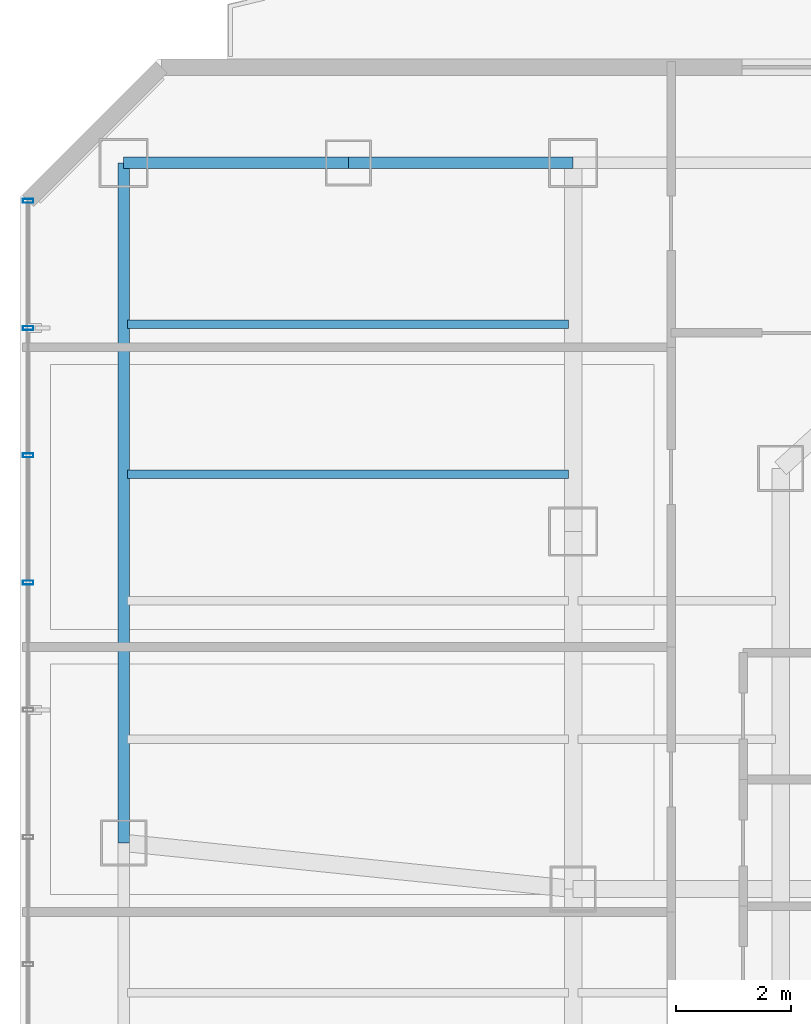
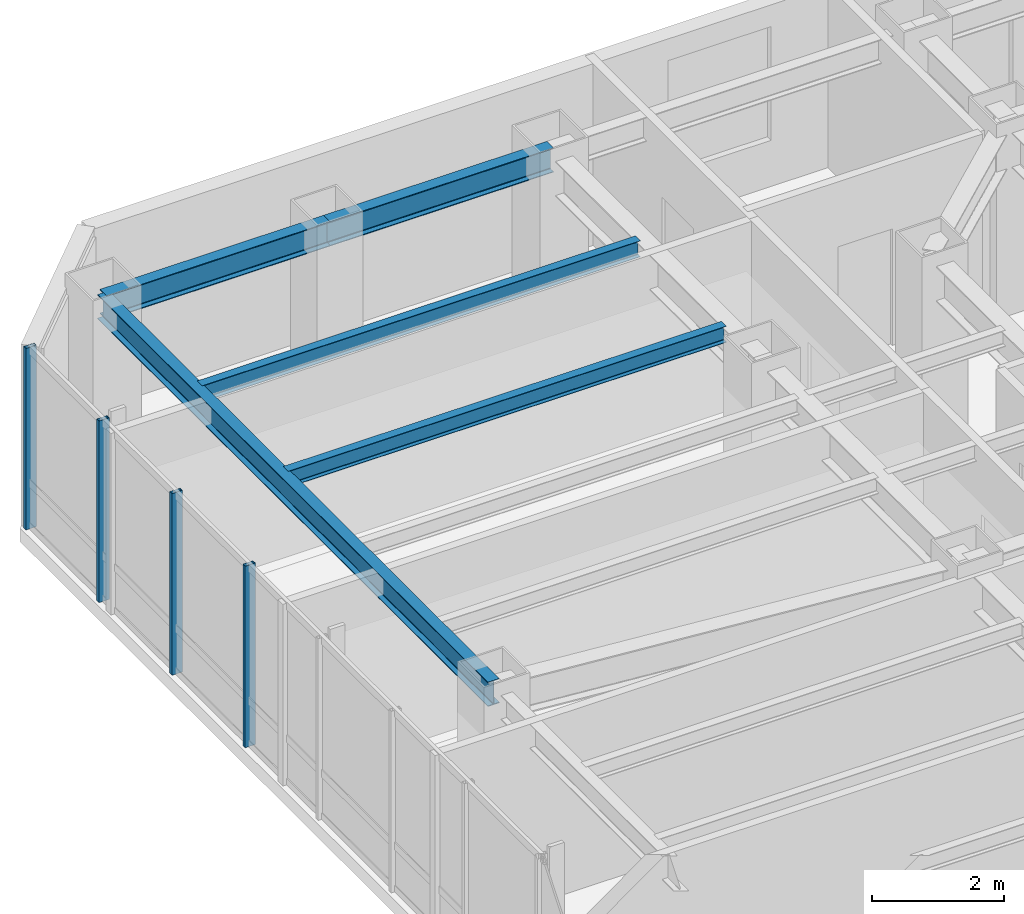
# One storey, part 17 of 29: 5 beams, 4 members, 1 element without a shape of its own.
"""IFC4 building model written with IfcOpenShell, lengths in metres."""

from ifc_helpers import new_model, si_unit, direction, frame, origin, origin_2d, place, context, subcontext, project, spatial, hollow_rectangle, i_section, extrude, material, layer, layer_set, material_profile, profile_set, type_object, element, aggregate, save


model = new_model("IFC4")

# Units and contexts
model_context = context("Model", 3, precision=1e-05, world=origin(), true_north=direction((0.0, 1.0)))
body_context = subcontext(model_context, "Body", "Model", "MODEL_VIEW")
ifc_project = project(units=[si_unit("LENGTHUNIT", "METRE"), si_unit("AREAUNIT", "SQUARE_METRE"), si_unit("VOLUMEUNIT", "CUBIC_METRE"), si_unit("PLANEANGLEUNIT", "RADIAN"), si_unit("MASSUNIT", "GRAM", prefix="KILO")], contexts=[model_context])

# Site, building, storey
site_placement = place(None, origin())
site = spatial("IfcSite", under=ifc_project, at=site_placement, CompositionType="ELEMENT")
building_placement = place(site_placement, origin())
building = spatial("IfcBuilding", under=site, at=building_placement, Name="Hatsunagi Terrace Concourse", CompositionType="ELEMENT")
storey_placement = place(building_placement, frame((0.0, 0.0, 149.25)))
storey = spatial("IfcBuildingStorey", under=building, at=storey_placement, Name="L39", CompositionType="ELEMENT", Elevation=149.25)

# Curtain wall, members
ifc_material_1 = material(Name="Anodised Aluminium Alloy 6063-T5", Category="aluminium")
ifc_layer = layer(ifc_material_1, 0.199951171875)
ifc_layer_set = layer_set([ifc_layer], Name="OfficeZone1_CW03")
curtain_wall_type = type_object("IfcCurtainWallType", Name="OfficeZone1_CW03", PredefinedType="NOTDEFINED", material=ifc_layer_set)
curtain_wall_placement = place(storey_placement, origin())
curtain_wall = element("IfcCurtainWall", 1, at=curtain_wall_placement, inside=storey, type_object=curtain_wall_type, Name="Unitised Curtain Wall CW-03 CW-L39-09", PredefinedType="NOTDEFINED")
ifc_material_2 = material(Name="Anodised Aluminium Alloy 6063-T5", Category="aluminium")
ifc_material_profile_1 = material_profile(ifc_material_2, hollow_rectangle(XDim=0.070068359375, YDim=0.179931640625, WallThickness=0.00390625, at=origin_2d()), Name="ALU-MUL-180x70x4")
ifc_profile_set_1 = profile_set([ifc_material_profile_1], Name="Anodised Aluminium Alloy 6063-T5")
member_type = type_object("IfcMemberType", Name="CurtainWallMullion_180x70", PredefinedType="MULLION", material=ifc_profile_set_1)
member_1_placement = place(storey_placement, frame((9.739990234375, 41.31689453125, 0.0), z_axis=(0.0, 0.0, 1.0), x_axis=(0.0, 1.0, 0.0)))
member_1 = element("IfcMember", 2, at=member_1_placement, type_object=member_type, Name="Curtain Wall Mullion MUL-02", PredefinedType="MULLION", context=body_context, shape_type="SweptSolid", body=[
    extrude(hollow_rectangle(XDim=0.070068359375, YDim=0.179931640625, WallThickness=0.00390625, at=origin_2d()), origin(), (0.0, 0.0, 1.0), 3.35009765625),
])
member_2_placement = place(storey_placement, frame((9.739990234375, 43.52490234375, 0.0), z_axis=(0.0, 0.0, 1.0), x_axis=(0.0, 1.0, 0.0)))
member_2 = element("IfcMember", 3, at=member_2_placement, type_object=member_type, Name="Curtain Wall Mullion MUL-02", PredefinedType="MULLION", context=body_context, shape_type="SweptSolid", body=[
    extrude(hollow_rectangle(XDim=0.070068359375, YDim=0.179931640625, WallThickness=0.00390625, at=origin_2d()), origin(), (0.0, 0.0, 1.0), 3.35009765625),
])
member_3_placement = place(storey_placement, frame((9.739990234375, 45.73388671875, 0.0), z_axis=(0.0, 0.0, 1.0), x_axis=(0.0, 1.0, 0.0)))
member_3 = element("IfcMember", 4, at=member_3_placement, type_object=member_type, Name="Curtain Wall Mullion MUL-02", PredefinedType="MULLION", context=body_context, shape_type="SweptSolid", body=[
    extrude(hollow_rectangle(XDim=0.070068359375, YDim=0.179931640625, WallThickness=0.00390625, at=origin_2d()), origin(), (0.0, 0.0, 1.0), 3.35009765625),
])
member_4_placement = place(storey_placement, frame((9.739990234375, 47.94189453125, 0.0), z_axis=(0.0, 0.0, 1.0), x_axis=(0.0, 1.0, 0.0)))
member_4 = element("IfcMember", 5, at=member_4_placement, type_object=member_type, Name="Curtain Wall Mullion MUL-02", PredefinedType="MULLION", context=body_context, shape_type="SweptSolid", body=[
    extrude(hollow_rectangle(XDim=0.070068359375, YDim=0.179931640625, WallThickness=0.00390625, at=origin_2d()), origin(), (0.0, 0.0, 1.0), 3.35009765625),
])
aggregate(curtain_wall, [member_1, member_2, member_3, member_4])

# Beams
ifc_material_3 = material(Name="Steel SN490B", Category="steel")
ifc_material_profile_2 = material_profile(ifc_material_3, i_section(OverallWidth=0.14990234375, OverallDepth=0.300048828125, WebThickness=0.006591796875, FlangeThickness=0.009033203125, FilletRadius=0.010986328125, at=origin_2d()), Name="H-300x150x6.5x9")
ifc_profile_set_2 = profile_set([ifc_material_profile_2], Name="Steel SN490B")
beam_type_1 = type_object("IfcBeamType", Name="OfficeJoist_H_300x150", PredefinedType="JOIST", material=ifc_profile_set_2)
for number, where, z_axis, x_axis, name in (
    (6, (11.465087890625, 43.199951171875, 3.199951171875), (1.0, 0.0, 0.0), (0.0, 1.0, 0.0), "Beam J-03 J-L39-W-11-432"),
    (7, (11.465087890625, 45.800048828125, 3.199951171875), (1.0, 0.0, 0.0), (0.0, 1.0, 0.0), "Beam J-03 J-L39-W-11-458"),
):
    element("IfcBeam", number, at=place(storey_placement, frame(where, z_axis=z_axis, x_axis=x_axis)), inside=storey, type_object=beam_type_1, Name=name, PredefinedType="JOIST", context=body_context, shape_type="SweptSolid", body=[
        extrude(i_section(OverallWidth=0.14990234375, OverallDepth=0.300048828125, WebThickness=0.006591796875, FlangeThickness=0.009033203125, FilletRadius=0.010986328125, at=origin_2d()), origin(), (0.0, 0.0, 1.0), 7.64990234375),
    ])
ifc_material_4 = material(Name="Steel SN490B", Category="steel")
ifc_material_profile_3 = material_profile(ifc_material_4, i_section(OverallWidth=0.199951171875, OverallDepth=0.449951171875, WebThickness=0.009033203125, FlangeThickness=0.013916015625, FilletRadius=0.01611328125, at=origin_2d()), Name="H-450x200x9x14")
ifc_profile_set_3 = profile_set([ifc_material_profile_3], Name="Steel SN490B")
beam_type_2 = type_object("IfcBeamType", Name="PerimeterSpandrel_H_450x200", PredefinedType="SPANDREL", material=ifc_profile_set_3)
beam_1_placement = place(storey_placement, frame((11.39990234375, 48.60009765625, 3.125), z_axis=(1.0, 0.0, 0.0), x_axis=(0.0, 1.0, 0.0)))
element("IfcBeam", 8, at=beam_1_placement, inside=storey, type_object=beam_type_2, Name="Beam SP-02 BM-L39-WN-11", PredefinedType="SPANDREL", context=body_context, shape_type="SweptSolid", body=[
    extrude(i_section(OverallWidth=0.199951171875, OverallDepth=0.449951171875, WebThickness=0.009033203125, FlangeThickness=0.013916015625, FilletRadius=0.01611328125, at=origin_2d()), origin(), (0.0, 0.0, 1.0), 3.900146484375),
])
beam_2_placement = place(storey_placement, frame((15.300048828125, 48.60009765625, 3.125), z_axis=(1.0, 0.0, 0.0), x_axis=(0.0, 1.0, 0.0)))
element("IfcBeam", 9, at=beam_2_placement, inside=storey, type_object=beam_type_2, Name="Beam SP-02 BM-L39-WN-15", PredefinedType="SPANDREL", context=body_context, shape_type="SweptSolid", body=[
    extrude(i_section(OverallWidth=0.199951171875, OverallDepth=0.449951171875, WebThickness=0.009033203125, FlangeThickness=0.013916015625, FilletRadius=0.01611328125, at=origin_2d()), origin(), (0.0, 0.0, 1.0), 3.89990234375),
])
beam_3_placement = place(storey_placement, frame((11.39990234375, 36.800048828125, 3.125), z_axis=(0.0, 1.0, 0.0), x_axis=(-1.0, 0.0, 0.0)))
element("IfcBeam", 10, at=beam_3_placement, inside=storey, type_object=beam_type_2, Name="Beam SP-02 BM-L39-NS-11-36", PredefinedType="SPANDREL", context=body_context, shape_type="SweptSolid", body=[
    extrude(i_section(OverallWidth=0.199951171875, OverallDepth=0.449951171875, WebThickness=0.009033203125, FlangeThickness=0.013916015625, FilletRadius=0.01611328125, at=origin_2d()), origin(), (0.0, 0.0, 1.0), 11.800048828125),
])

save(model, "model.ifc")
